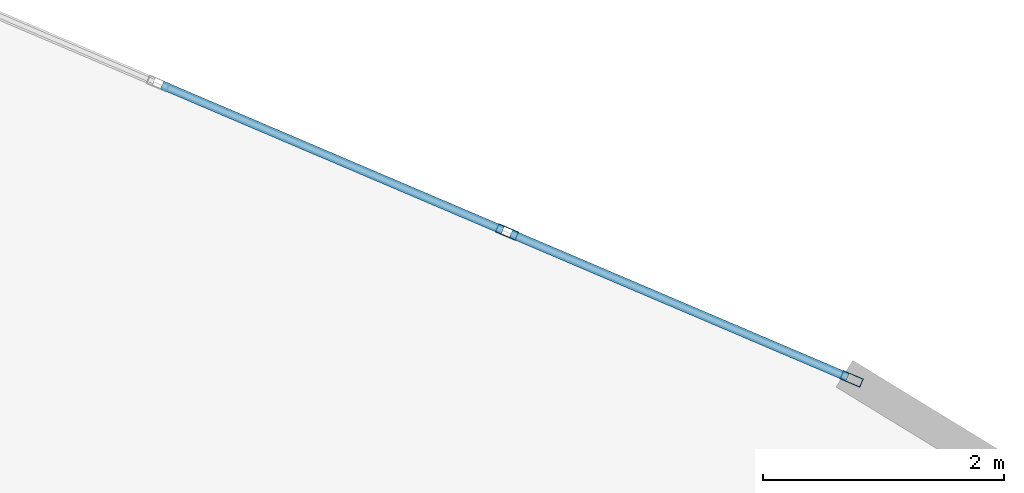
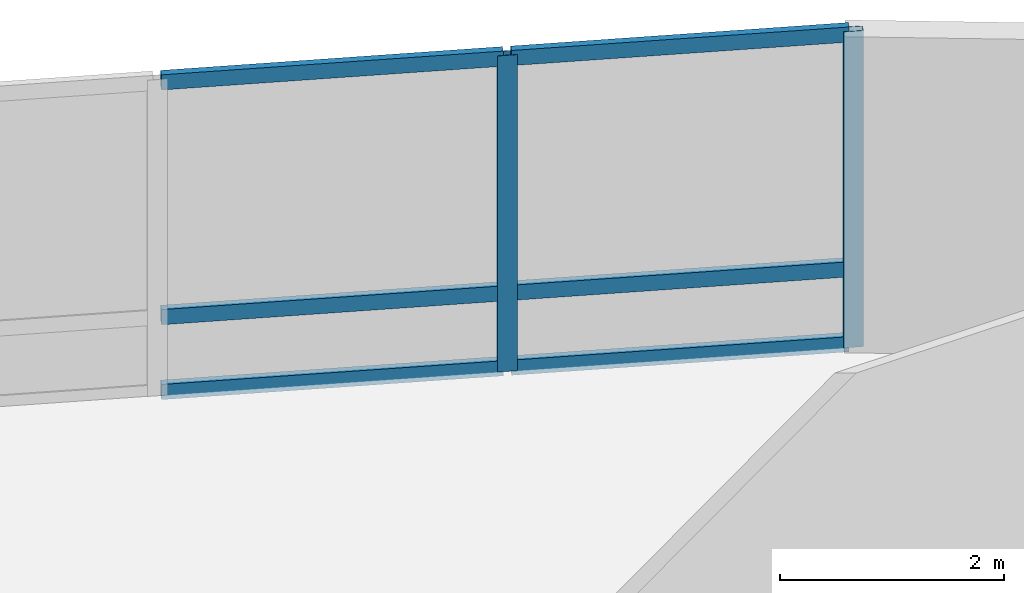
# One storey, part 13 of 20: 8 members, 1 element without a shape of its own.
"""IFC4 building model written with IfcOpenShell, lengths in metres."""

from ifc_helpers import new_model, si_unit, direction, frame, origin, origin_2d, place, context, subcontext, project, spatial, hollow_rectangle, extrude, material, layer, layer_set, material_profile, profile_set, type_object, element, aggregate, save


model = new_model("IFC4")

# Units and contexts
model_context = context("Model", 3, precision=1e-05, world=origin(), true_north=direction((0.0, 1.0)))
body_context = subcontext(model_context, "Body", "Model", "MODEL_VIEW")
ifc_project = project(units=[si_unit("LENGTHUNIT", "METRE"), si_unit("AREAUNIT", "SQUARE_METRE"), si_unit("VOLUMEUNIT", "CUBIC_METRE"), si_unit("PLANEANGLEUNIT", "RADIAN"), si_unit("MASSUNIT", "GRAM", prefix="KILO")], contexts=[model_context])

# Site, building, storey
site_placement = place(None, origin())
site = spatial("IfcSite", under=ifc_project, at=site_placement, CompositionType="ELEMENT")
building_placement = place(site_placement, origin())
building = spatial("IfcBuilding", under=site, at=building_placement, Name="Menara Vayukalpa", CompositionType="ELEMENT")
storey_placement = place(building_placement, frame((0.0, 0.0, 64.800048828125)))
storey = spatial("IfcBuildingStorey", under=building, at=storey_placement, Name="L15", CompositionType="ELEMENT", Elevation=64.800048828125)

# Curtain wall, members
ifc_material_1 = material(Name="Anodised Terracotta Aluminium Alloy 6063-T6", Category="masonry")
ifc_layer = layer(ifc_material_1, 0.179931640625)
ifc_layer_set = layer_set([ifc_layer], Name="Anodised Terracotta Aluminium Alloy 6063-T6")
curtain_wall_type = type_object("IfcCurtainWallType", Name="CW-CW4", PredefinedType="USERDEFINED", material=ifc_layer_set)
curtain_wall_placement = place(storey_placement, origin())
curtain_wall = element("IfcCurtainWall", 1, at=curtain_wall_placement, inside=storey, type_object=curtain_wall_type, Name="L15 Sky Bar Cantilever Glazed Curtain Wall CW4 04", ObjectType="UNITISED", PredefinedType="USERDEFINED")
ifc_material_2 = material(Name="Anodised Terracotta Aluminium Alloy 6063-T6", Category="masonry")
ifc_material_profile_1 = material_profile(ifc_material_2, hollow_rectangle(XDim=0.074951171875, YDim=0.179931640625, WallThickness=0.00390625, at=origin_2d()), Name="ALU 75x180x4")
ifc_profile_set_1 = profile_set([ifc_material_profile_1], Name="Anodised Terracotta Aluminium Alloy 6063-T6")
member_type_1 = type_object("IfcMemberType", Name="CWM-CW4", PredefinedType="MULLION", material=ifc_profile_set_1)
member_1_placement = place(storey_placement, frame((47.06298828125, 29.523193359375, 0.0), z_axis=(0.0, 0.0, 1.0), x_axis=(-0.392008132718, -0.919961751315, 0.0)))
member_1 = element("IfcMember", 2, at=member_1_placement, type_object=member_type_1, Name="CW4 mullion 1", PredefinedType="MULLION", context=body_context, shape_type="SweptSolid", body=[
    extrude(hollow_rectangle(XDim=0.074951171875, YDim=0.179931640625, WallThickness=0.00390625, at=origin_2d()), origin(), (0.0, 0.0, 1.0), 3.43994140625),
])
member_2_placement = place(storey_placement, frame((44.205078125, 30.740966796875, 0.0), z_axis=(0.0, 0.0, 1.0), x_axis=(-0.392008132718, -0.919961751315, 0.0)))
member_2 = element("IfcMember", 3, at=member_2_placement, type_object=member_type_1, Name="CW4 mullion 2", PredefinedType="MULLION", context=body_context, shape_type="SweptSolid", body=[
    extrude(hollow_rectangle(XDim=0.074951171875, YDim=0.179931640625, WallThickness=0.00390625, at=origin_2d()), origin(), (0.0, 0.0, 1.0), 3.43994140625),
])
ifc_material_3 = material(Name="Anodised Terracotta Aluminium Alloy 6063-T6", Category="masonry")
ifc_material_profile_2 = material_profile(ifc_material_3, hollow_rectangle(XDim=0.070068359375, YDim=0.1650390625, WallThickness=0.00390625, at=origin_2d()), Name="ALU 70x165x4")
ifc_profile_set_2 = profile_set([ifc_material_profile_2], Name="Anodised Terracotta Aluminium Alloy 6063-T6")
member_type_2 = type_object("IfcMemberType", Name="CWT-CW4", PredefinedType="USERDEFINED", material=ifc_profile_set_2)
member_3_placement = place(storey_placement, frame((47.028564453125, 29.537841796875, 0.034912109375), z_axis=(-0.919959450087, 0.392013533178, 0.0), x_axis=(-0.392013533178, -0.919959450087, 0.0)))
member_3 = element("IfcMember", 4, at=member_3_placement, type_object=member_type_2, Name="CW4 transom 1.1", ObjectType="TRANSOM", PredefinedType="USERDEFINED", context=body_context, shape_type="SweptSolid", body=[
    extrude(hollow_rectangle(XDim=0.070068359375, YDim=0.1650390625, WallThickness=0.00390625, at=origin_2d()), origin(), (0.0, 0.0, 1.0), 3.03173828125),
])
member_4_placement = place(storey_placement, frame((47.028564453125, 29.537841796875, 0.849853515625), z_axis=(-0.919959450087, 0.392013533178, 0.0), x_axis=(-0.392013533178, -0.919959450087, 0.0)))
member_4 = element("IfcMember", 5, at=member_4_placement, type_object=member_type_2, Name="CW4 transom 1.2", ObjectType="TRANSOM", PredefinedType="USERDEFINED", context=body_context, shape_type="SweptSolid", body=[
    extrude(hollow_rectangle(XDim=0.070068359375, YDim=0.1650390625, WallThickness=0.00390625, at=origin_2d()), origin(), (0.0, 0.0, 1.0), 3.03173828125),
])
member_5_placement = place(storey_placement, frame((47.028564453125, 29.537841796875, 3.405029296875), z_axis=(-0.919959450087, 0.392013533178, 0.0), x_axis=(-0.392013533178, -0.919959450087, 0.0)))
member_5 = element("IfcMember", 6, at=member_5_placement, type_object=member_type_2, Name="CW4 transom 1.3", ObjectType="TRANSOM", PredefinedType="USERDEFINED", context=body_context, shape_type="SweptSolid", body=[
    extrude(hollow_rectangle(XDim=0.070068359375, YDim=0.1650390625, WallThickness=0.00390625, at=origin_2d()), origin(), (0.0, 0.0, 1.0), 3.03173828125),
])
member_6_placement = place(storey_placement, frame((44.170654296875, 30.755615234375, 0.034912109375), z_axis=(-0.919961830658, 0.392007946518, 0.0), x_axis=(-0.392007946518, -0.919961830658, 0.0)))
member_6 = element("IfcMember", 7, at=member_6_placement, type_object=member_type_2, Name="CW4 transom 2.1", ObjectType="TRANSOM", PredefinedType="USERDEFINED", context=body_context, shape_type="SweptSolid", body=[
    extrude(hollow_rectangle(XDim=0.070068359375, YDim=0.1650390625, WallThickness=0.00390625, at=origin_2d()), origin(), (0.0, 0.0, 1.0), 3.069091796875),
])
member_7_placement = place(storey_placement, frame((44.170654296875, 30.755615234375, 0.849853515625), z_axis=(-0.919961830658, 0.392007946518, 0.0), x_axis=(-0.392007946518, -0.919961830658, 0.0)))
member_7 = element("IfcMember", 8, at=member_7_placement, type_object=member_type_2, Name="CW4 transom 2.2", ObjectType="TRANSOM", PredefinedType="USERDEFINED", context=body_context, shape_type="SweptSolid", body=[
    extrude(hollow_rectangle(XDim=0.070068359375, YDim=0.1650390625, WallThickness=0.00390625, at=origin_2d()), origin(), (0.0, 0.0, 1.0), 3.069091796875),
])
member_8_placement = place(storey_placement, frame((44.170654296875, 30.755615234375, 3.405029296875), z_axis=(-0.919961830658, 0.392007946518, 0.0), x_axis=(-0.392007946518, -0.919961830658, 0.0)))
member_8 = element("IfcMember", 9, at=member_8_placement, type_object=member_type_2, Name="CW4 transom 2.3", ObjectType="TRANSOM", PredefinedType="USERDEFINED", context=body_context, shape_type="SweptSolid", body=[
    extrude(hollow_rectangle(XDim=0.070068359375, YDim=0.1650390625, WallThickness=0.00390625, at=origin_2d()), origin(), (0.0, 0.0, 1.0), 3.069091796875),
])
aggregate(curtain_wall, [member_1, member_2, member_3, member_4, member_5, member_6, member_7, member_8])

save(model, "model.ifc")
